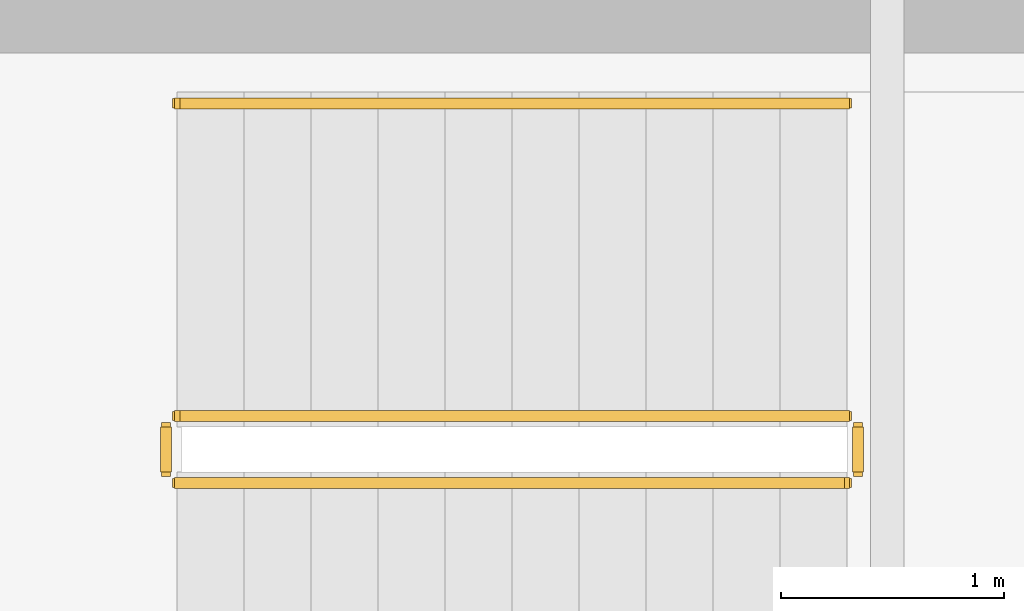
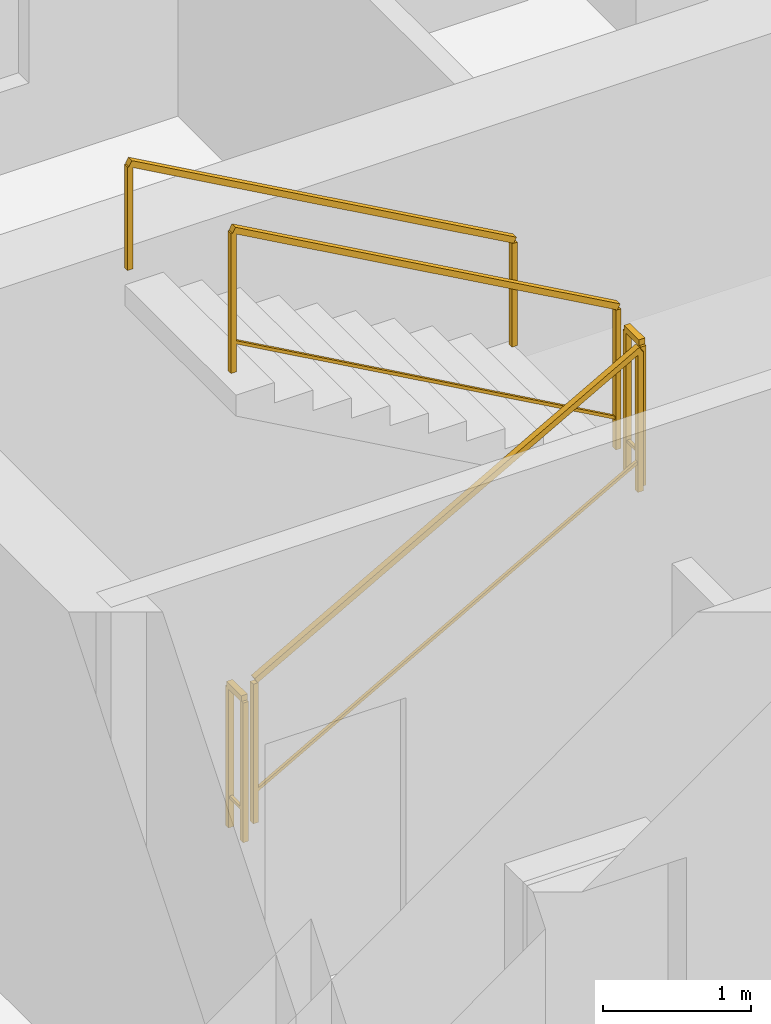
# One storey, part 11 of 11: 5 railings.
"""IFC4 building model written with IfcOpenShell, lengths in metres."""

import ifcopenshell
import ifcopenshell.guid

model = None  # the IFC model being written
_history = None  # IfcOwnerHistory: only IFC2X3 demands one
_inside = {}  # id of a spatial element -> (the spatial element, [elements in it])
_under = {}  # id of a project, library or spatial element -> (it, [spatial elements below it])
_declared = {}  # id of a project -> (the project, [libraries it declares])
_typed = {}  # id of a type object -> (the type object, [elements of that type])
_made_of = {}  # id of a material, layer set ... -> (it, [elements and type objects made of it])


def new_model(schema):
    """Start an empty IFC model of exactly this schema.

    Asked for "IFC4X3", IfcOpenShell would pick the latest addendum, in which some entities
    have other attributes; the version numbers below select the first issue.
    IFC2X3 requires an IfcOwnerHistory on every rooted entity: one is made here for all.
    """
    global model, _history
    if schema == "IFC4X3":
        model = ifcopenshell.file(schema_version=(4, 3, 0, 0))
    else:
        model = ifcopenshell.file(schema=schema)
    _inside.clear()
    _under.clear()
    _declared.clear()
    _typed.clear()
    _made_of.clear()
    _history = None
    if model.schema == "IFC2X3":
        org = make("IfcOrganization", Name="unknown")
        user = make(
            "IfcPersonAndOrganization",
            ThePerson=make("IfcPerson", FamilyName="unknown"),
            TheOrganization=org,
        )
        app = make(
            "IfcApplication",
            ApplicationDeveloper=org,
            Version="unknown",
            ApplicationFullName="unknown",
            ApplicationIdentifier="unknown",
        )
        _history = make(
            "IfcOwnerHistory",
            OwningUser=user,
            OwningApplication=app,
            ChangeAction="ADDED",
            CreationDate=0,
        )
    return model


def make(cls, **values):
    """One entity of the class cls with the attributes given. An attribute that is None is left unset."""
    return model.create_entity(
        cls, **{name: value for name, value in values.items() if value is not None}
    )


def rooted(cls, **values):
    """An entity with a GlobalId (a new one), such as an element, a storey or a relation."""
    return make(cls, GlobalId=ifcopenshell.guid.new(), OwnerHistory=_history, **values)


def si_unit(unit_type, name, prefix=None):
    """IfcSIUnit, for example si_unit("LENGTHUNIT", "METRE", prefix="MILLI")."""
    return make("IfcSIUnit", UnitType=unit_type, Prefix=prefix, Name=name)


def assignment(units):
    """IfcUnitAssignment: the units of a project."""
    return None if units is None else make("IfcUnitAssignment", Units=units)


def point(xyz):
    """IfcCartesianPoint."""
    return None if xyz is None else make("IfcCartesianPoint", Coordinates=xyz)


def direction(xyz):
    """IfcDirection."""
    return None if xyz is None else make("IfcDirection", DirectionRatios=xyz)


def frame(location, z_axis=None, x_axis=None):
    """IfcAxis2Placement3D, a coordinate frame: its origin and axes. An axis left out is left unset."""
    return make(
        "IfcAxis2Placement3D",
        Location=point(location),
        Axis=direction(z_axis),
        RefDirection=direction(x_axis),
    )


def frame_2d(location, x_axis=None):
    """IfcAxis2Placement2D, a coordinate frame in the plane: its origin and x axis."""
    return make(
        "IfcAxis2Placement2D", Location=point(location), RefDirection=direction(x_axis)
    )


def origin():
    """The frame at (0, 0, 0) with its axes left unset."""
    return frame((0.0, 0.0, 0.0))


def origin_2d():
    """The frame at (0, 0) in the plane with its x axis left unset."""
    return frame_2d((0.0, 0.0))


def place(relative_to, where):
    """IfcLocalPlacement: puts the frame where relative to a parent placement (None: the world)."""
    return make(
        "IfcLocalPlacement", PlacementRelTo=relative_to, RelativePlacement=where
    )


def context(
    kind, dimensions, precision=None, world=None, true_north=None, identifier=None
):
    """IfcGeometricRepresentationContext, for example the 3D "Model" context."""
    return make(
        "IfcGeometricRepresentationContext",
        ContextIdentifier=identifier,
        ContextType=kind,
        CoordinateSpaceDimension=dimensions,
        Precision=precision,
        WorldCoordinateSystem=world,
        TrueNorth=true_north,
    )


def subcontext(parent, identifier, kind, view, scale=None):
    """IfcGeometricRepresentationSubContext, for example "Body" below "Model"."""
    return make(
        "IfcGeometricRepresentationSubContext",
        ContextIdentifier=identifier,
        ContextType=kind,
        ParentContext=parent,
        TargetScale=scale,
        TargetView=view,
    )


def project(units=None, contexts=None):
    """IfcProject with its units and contexts."""
    return rooted(
        "IfcProject",
        Name="project",
        RepresentationContexts=contexts,
        UnitsInContext=assignment(units),
    )


def spatial(cls, under=None, at=None, **own):
    """A site, building, storey or space (cls), placed at a placement, below another one or the project."""
    s = rooted(cls, ObjectPlacement=at, **own)
    if under is not None:
        _under.setdefault(under.id(), (under, []))[1].append(s)
    return s


def profile(cls, at=None, kind="AREA", **sizes):
    """A parametric profile (cls). Its sizes go by their IFC names, for example OverallWidth=200.0."""
    return make(cls, ProfileType=kind, Position=at, **sizes)


def rectangle(**sizes):
    """IfcRectangleProfileDef."""
    return profile("IfcRectangleProfileDef", **sizes)


def extrude(swept, where, along, depth):
    """IfcExtrudedAreaSolid: the profile swept, set in the frame where, extruded along a direction by depth."""
    return make(
        "IfcExtrudedAreaSolid",
        SweptArea=swept,
        Position=where,
        ExtrudedDirection=direction(along),
        Depth=depth,
    )


def shape(context_of_items, identifier, shape_type, items):
    """IfcShapeRepresentation: the items that make up one representation, for example the "Body"."""
    return make(
        "IfcShapeRepresentation",
        ContextOfItems=context_of_items,
        RepresentationIdentifier=identifier,
        RepresentationType=shape_type,
        Items=items,
    )


def material(Name=None, Category=None):
    """IfcMaterial."""
    return make("IfcMaterial", Name=Name, Category=Category)


def made_of(thing, what):
    """Note that an element or type object is made of a material, layer set ...; save() writes the relation."""
    if what is not None:
        _made_of.setdefault(what.id(), (what, []))[1].append(thing)
    return thing


def type_object(cls, material=None, **own):
    """A type object (cls), such as IfcWallType, which elements share."""
    return made_of(rooted(cls, **own), material)


def element(
    cls,
    number,
    at=None,
    inside=None,
    cuts=None,
    type_object=None,
    material=None,
    context=None,
    identifier="Body",
    shape_type=None,
    held_by="IfcProductDefinitionShape",
    body=None,
    shapes=None,
    **own,
):
    """One element of the class cls, such as IfcWall. Its Tag is "e" and its number.

    at: its placement. inside: the storey or other place that contains it. cuts: it is an
    opening in that element (IfcRelVoidsElement). A single representation is given by context,
    identifier, shape_type and body (its items); several are given by shapes. held_by: the class
    of the entity that holds the representations. save() writes the other relations.
    """
    e = rooted(cls, Tag="e%d" % number, ObjectPlacement=at, **own)
    if body is not None:
        shapes = [shape(context, identifier, shape_type, body)]
    if shapes is not None:
        e.Representation = make(held_by, Representations=shapes)
    if inside is not None:
        _inside.setdefault(inside.id(), (inside, []))[1].append(e)
    if cuts is not None:
        rooted(
            "IfcRelVoidsElement", RelatingBuildingElement=cuts, RelatedOpeningElement=e
        )
    if type_object is not None:
        _typed.setdefault(type_object.id(), (type_object, []))[1].append(e)
    return made_of(e, material)


def aggregate(whole, parts):
    """IfcRelAggregates: a whole, such as a stair, and the parts it consists of."""
    return rooted("IfcRelAggregates", RelatingObject=whole, RelatedObjects=parts)


def save(model, path):
    """Write the relations noted so far, then the file.

    IfcRelAggregates (storeys below a building ...), IfcRelContainedInSpatialStructure (elements
    in a storey), IfcRelDefinesByType, IfcRelAssociatesMaterial and IfcRelDeclares: one each for
    every whole, place, type object, material and project.
    """
    for whole, parts in _under.values():
        aggregate(whole, parts)
    for where, things in _inside.values():
        rooted(
            "IfcRelContainedInSpatialStructure",
            RelatedElements=things,
            RelatingStructure=where,
        )
    for kind, things in _typed.values():
        rooted("IfcRelDefinesByType", RelatedObjects=things, RelatingType=kind)
    for what, things in _made_of.values():
        rooted("IfcRelAssociatesMaterial", RelatedObjects=things, RelatingMaterial=what)
    for by, libraries in _declared.values():
        rooted("IfcRelDeclares", RelatingContext=by, RelatedDefinitions=libraries)
    model.write(path)


model = new_model("IFC4")

# Units and contexts
model_context = context("Model", 3, precision=1e-05, world=origin(), true_north=direction((0.0, 1.0)))
body_context = subcontext(model_context, "Body", "Model", "MODEL_VIEW")
ifc_project = project(units=[si_unit("LENGTHUNIT", "METRE"), si_unit("AREAUNIT", "SQUARE_METRE"), si_unit("VOLUMEUNIT", "CUBIC_METRE"), si_unit("PLANEANGLEUNIT", "RADIAN"), si_unit("MASSUNIT", "GRAM", prefix="KILO")], contexts=[model_context])

# Site, building, storey
site_placement = place(None, origin())
site = spatial("IfcSite", under=ifc_project, at=site_placement, CompositionType="ELEMENT")
building_placement = place(site_placement, origin())
building = spatial("IfcBuilding", under=site, at=building_placement, Name="Svetorya Sky Lyceum", CompositionType="ELEMENT")
storey_placement = place(building_placement, frame((0.0, 0.0, 106.800048828125)))
storey = spatial("IfcBuildingStorey", under=building, at=storey_placement, Name="L26", CompositionType="ELEMENT", Elevation=106.800048828125)

# Railings
ifc_material_1 = material(Name="Painted galvanized stair well guard")
railing_type_1 = type_object("IfcRailingType", Name="RL-STR-GUARD-1200", PredefinedType="GUARDRAIL", material=ifc_material_1)
railing_1_placement = place(storey_placement, frame((27.699951171875, 43.60009765625, 0.168212890625)))
element("IfcRailing", 1, at=railing_1_placement, inside=storey, type_object=railing_type_1, Name="L26 ST-N stair guard 1", PredefinedType="GUARDRAIL", context=body_context, shape_type="SweptSolid", body=[
    extrude(rectangle(XDim=0.048095703125, YDim=0.048095703125, at=origin_2d()), frame((0.0, 0.0, 1.17578125), z_axis=(0.872302573547, 0.0, 0.488966481656), x_axis=(0.0, 1.0, 0.0)), (0.0, 0.0, 1.0), 3.439208984375),
    extrude(rectangle(XDim=0.02392578125, YDim=0.02392578125, at=origin_2d()), frame((0.0, 0.0, 0.25), z_axis=(0.872302573547, 0.0, 0.488966481656), x_axis=(0.0, 1.0, 0.0)), (0.0, 0.0, 1.0), 3.439208984375),
    extrude(rectangle(XDim=0.0419921875, YDim=0.0419921875, at=origin_2d()), origin(), (0.0, 0.0, 1.0), 1.15185546875),
    extrude(rectangle(XDim=0.0419921875, YDim=0.0419921875, at=origin_2d()), frame((3.0, 0.0, 1.681640625)), (0.0, 0.0, 1.0), 1.15185546875),
])
railing_2_placement = place(storey_placement, frame((30.75, 43.64990234375, 1.849853515625)))
element("IfcRailing", 2, at=railing_2_placement, inside=storey, type_object=railing_type_1, Name="L26 ST-N stair guard 2", PredefinedType="GUARDRAIL", context=body_context, shape_type="SweptSolid", body=[
    extrude(rectangle(XDim=0.048095703125, YDim=0.048095703125, at=origin_2d()), frame((0.0, 0.0, 1.17578125), z_axis=(0.0, 1.0, 0.0), x_axis=(-1.0, 0.0, 0.0)), (0.0, 0.0, 1.0), 0.2001953125),
    extrude(rectangle(XDim=0.02392578125, YDim=0.02392578125, at=origin_2d()), frame((0.0, 0.0, 0.25), z_axis=(0.0, 1.0, 0.0), x_axis=(-1.0, 0.0, 0.0)), (0.0, 0.0, 1.0), 0.2001953125),
    extrude(rectangle(XDim=0.0419921875, YDim=0.0419921875, at=origin_2d()), origin(), (0.0, 0.0, 1.0), 1.15185546875),
    extrude(rectangle(XDim=0.0419921875, YDim=0.0419921875, at=origin_2d()), frame((0.0, 0.2001953125, 0.0)), (0.0, 0.0, 1.0), 1.15185546875),
])
railing_3_placement = place(storey_placement, frame((30.699951171875, 43.89990234375, 2.01806640625)))
element("IfcRailing", 3, at=railing_3_placement, inside=storey, type_object=railing_type_1, Name="L26 ST-N stair guard 3", PredefinedType="GUARDRAIL", context=body_context, shape_type="SweptSolid", body=[
    extrude(rectangle(XDim=0.048095703125, YDim=0.048095703125, at=origin_2d()), frame((0.0, 0.0, 1.17578125), z_axis=(-0.872272294576, 0.0, 0.489020494575), x_axis=(0.0, -1.0, 0.0)), (0.0, 0.0, 1.0), 3.439208984375),
    extrude(rectangle(XDim=0.02392578125, YDim=0.02392578125, at=origin_2d()), frame((0.0, 0.0, 0.25), z_axis=(-0.872272294576, 0.0, 0.489020494575), x_axis=(0.0, -1.0, 0.0)), (0.0, 0.0, 1.0), 3.439208984375),
    extrude(rectangle(XDim=0.0419921875, YDim=0.0419921875, at=origin_2d()), origin(), (0.0, 0.0, 1.0), 1.15185546875),
    extrude(rectangle(XDim=0.0419921875, YDim=0.0419921875, at=origin_2d()), frame((-3.0, 0.0, 1.681884765625)), (0.0, 0.0, 1.0), 1.15185546875),
])
railing_4_placement = place(storey_placement, frame((27.64990234375, 43.64990234375, 0.0)))
element("IfcRailing", 4, at=railing_4_placement, inside=storey, type_object=railing_type_1, Name="L26 ST-N stair guard 4", PredefinedType="GUARDRAIL", context=body_context, shape_type="SweptSolid", body=[
    extrude(rectangle(XDim=0.048095703125, YDim=0.048095703125, at=origin_2d()), frame((0.0, 0.0, 1.17578125), z_axis=(0.0, 1.0, 0.0), x_axis=(-1.0, 0.0, 0.0)), (0.0, 0.0, 1.0), 0.2001953125),
    extrude(rectangle(XDim=0.02392578125, YDim=0.02392578125, at=origin_2d()), frame((0.0, 0.0, 0.25), z_axis=(0.0, 1.0, 0.0), x_axis=(-1.0, 0.0, 0.0)), (0.0, 0.0, 1.0), 0.2001953125),
    extrude(rectangle(XDim=0.0419921875, YDim=0.0419921875, at=origin_2d()), origin(), (0.0, 0.0, 1.0), 1.15185546875),
    extrude(rectangle(XDim=0.0419921875, YDim=0.0419921875, at=origin_2d()), frame((0.0, 0.2001953125, 0.0)), (0.0, 0.0, 1.0), 1.15185546875),
])
ifc_material_2 = material(Name="Brushed stainless AISI 304 stair handrail")
railing_type_2 = type_object("IfcRailingType", Name="RL-STR-HAND-920", PredefinedType="HANDRAIL", material=ifc_material_2)
railing_5_placement = place(storey_placement, frame((30.699951171875, 45.300048828125, 2.01806640625)))
element("IfcRailing", 5, at=railing_5_placement, inside=storey, type_object=railing_type_2, Name="L26 ST-N stair handrail 2", PredefinedType="HANDRAIL", context=body_context, shape_type="SweptSolid", body=[
    extrude(rectangle(XDim=0.048095703125, YDim=0.048095703125, at=origin_2d()), frame((0.0, 0.0, 0.8759765625), z_axis=(-0.872272294576, 0.0, 0.489020494575), x_axis=(0.0, -1.0, 0.0)), (0.0, 0.0, 1.0), 3.439208984375),
    extrude(rectangle(XDim=0.0419921875, YDim=0.0419921875, at=origin_2d()), origin(), (0.0, 0.0, 1.0), 0.851806640625),
    extrude(rectangle(XDim=0.0419921875, YDim=0.0419921875, at=origin_2d()), frame((-3.0, 0.0, 1.681884765625)), (0.0, 0.0, 1.0), 0.851806640625),
])

save(model, "model.ifc")
